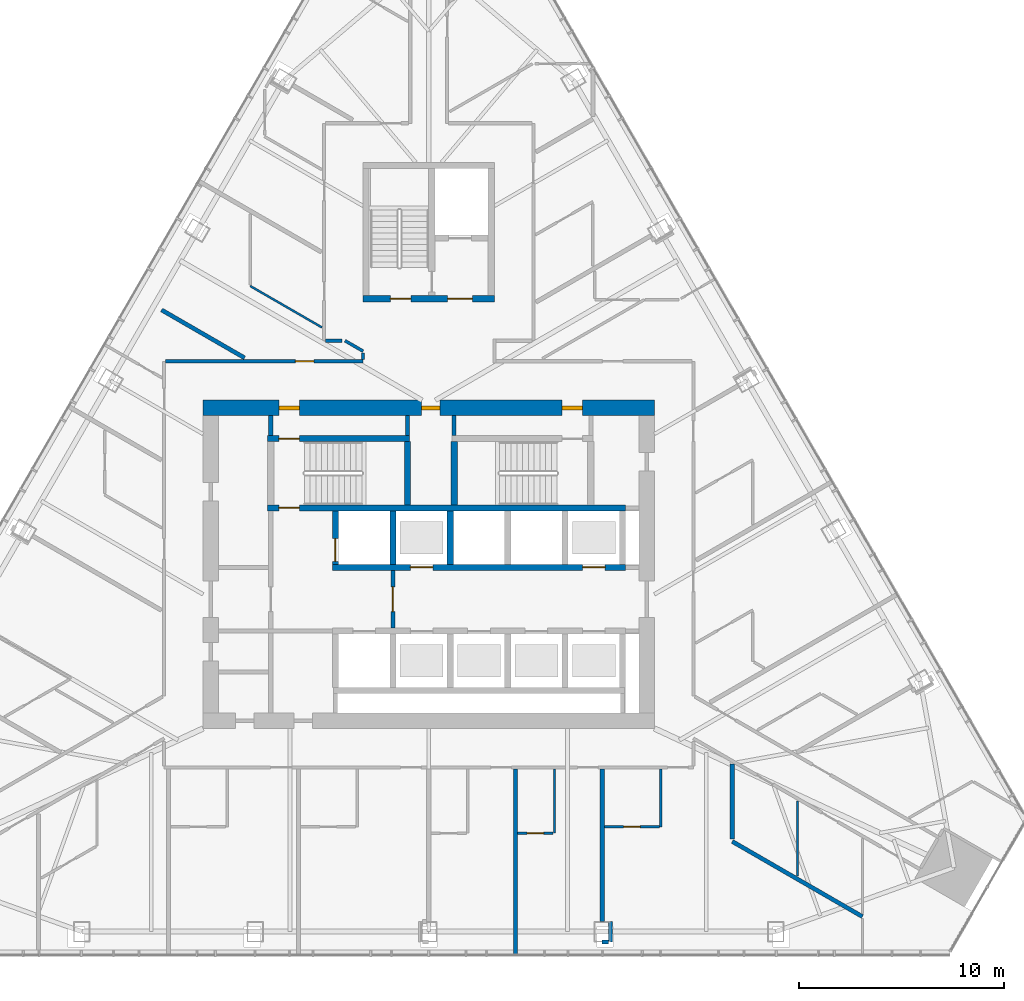
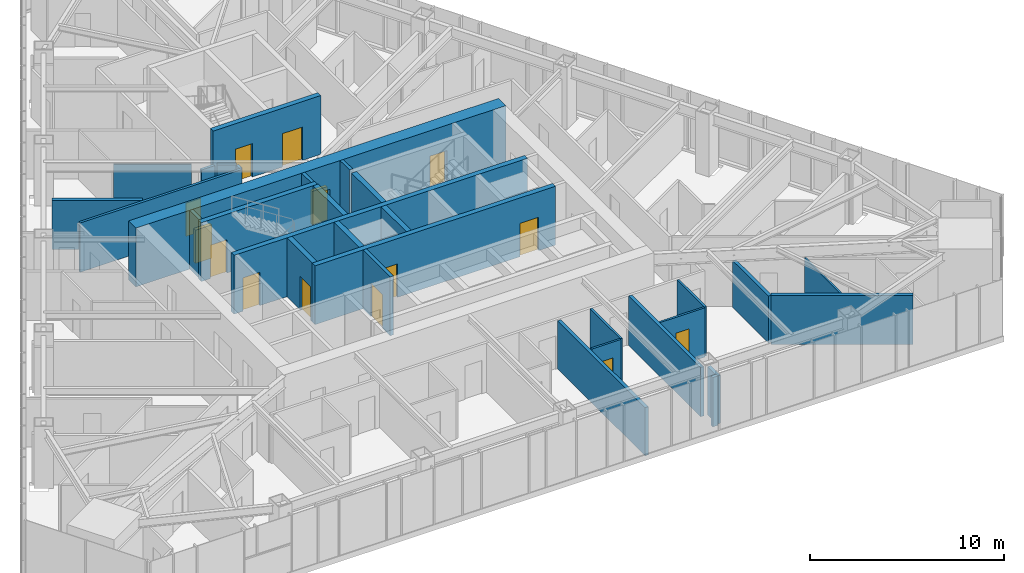
# One storey, part 14 of 19: 31 walls, 14 doors, 14 openings.
"""IFC4 building model written with IfcOpenShell, lengths in metres."""

from ifc_helpers import new_model, si_unit, direction, frame, frame_2d, origin, place, context, subcontext, project, spatial, rectangle, extrude, material, layer, layer_set, type_object, element, fill, save


model = new_model("IFC4")

# Units and contexts
model_context = context("Model", 3, precision=1e-05, world=origin(), true_north=direction((0.0, 1.0)))
body_context = subcontext(model_context, "Body", "Model", "MODEL_VIEW")
ifc_project = project(units=[si_unit("LENGTHUNIT", "METRE"), si_unit("AREAUNIT", "SQUARE_METRE"), si_unit("VOLUMEUNIT", "CUBIC_METRE"), si_unit("PLANEANGLEUNIT", "RADIAN"), si_unit("MASSUNIT", "GRAM", prefix="KILO")], contexts=[model_context])

# Site, building, storey
site_placement = place(None, origin())
site = spatial("IfcSite", under=ifc_project, at=site_placement, CompositionType="ELEMENT")
building_placement = place(site_placement, origin())
building = spatial("IfcBuilding", under=site, at=building_placement, Name="Firuza Gate Tower and Library", CompositionType="ELEMENT")
storey_placement = place(building_placement, frame((0.0, 0.0, 210.39990234375)))
storey = spatial("IfcBuildingStorey", under=building, at=storey_placement, Name="L49", CompositionType="ELEMENT", Elevation=210.39990234375)

# Wall
ifc_material_1 = material(Name="Plasterboard on steel studs", Category="steel")
ifc_layer_1 = layer(ifc_material_1, 0.199951171875)
ifc_layer_set_1 = layer_set([ifc_layer_1], Name="Core partition 200 EI 120")
wall_type_1 = type_object("IfcWallType", Name="Core partition 200 EI 120", PredefinedType="PARTITIONING", material=ifc_layer_set_1)
wall_1_placement = place(storey_placement, frame((67.300048828125, 81.280029296875, 0.0), z_axis=(0.0, 0.0, 1.0), x_axis=(0.0, 1.0, 0.0)))
element("IfcWall", 1, at=wall_1_placement, inside=storey, type_object=wall_type_1, Name="Core partition L49 9", PredefinedType="PARTITIONING", context=body_context, shape_type="SweptSolid", body=[
    extrude(rectangle(XDim=0.969970703125, YDim=0.199951171875, at=frame_2d((0.48486328125, 0.0))), origin(), (0.0, 0.0, 1.0), 3.7001953125),
])

# Wall, opening, door
ifc_material_2 = material(Name="Plasterboard on steel studs", Category="steel")
ifc_layer_2 = layer(ifc_material_2, 0.199951171875)
ifc_layer_set_2 = layer_set([ifc_layer_2], Name="Core partition 200 EI 60")
wall_type_2 = type_object("IfcWallType", Name="Core partition 200 EI 60", PredefinedType="PARTITIONING", material=ifc_layer_set_2)
wall_2_placement = place(storey_placement, frame((73.25, 71.89990234375, 0.0), z_axis=(0.0, 0.0, 1.0), x_axis=(0.0, 1.0, 0.0)))
wall_2 = element("IfcWall", 2, at=wall_2_placement, inside=storey, type_object=wall_type_2, Name="Core partition L49 11", PredefinedType="PARTITIONING", context=body_context, shape_type="SweptSolid", body=[
    extrude(rectangle(XDim=2.800048828125, YDim=0.199951171875, at=frame_2d((1.39990234375, 0.0))), origin(), (0.0, 0.0, 1.0), 3.7001953125),
])
opening_1_placement = place(wall_2_placement, frame((0.800048828125, 0.0, 0.0)))
opening_1 = element("IfcOpeningElement", 3, at=opening_1_placement, cuts=wall_2, Name="Opening L49-K18", PredefinedType="OPENING", context=body_context, shape_type="SweptSolid", body=[
    extrude(rectangle(XDim=1.199951171875, YDim=2.10009765625, at=frame_2d((0.60009765625, 1.050048828125))), frame((0.0, 0.10986328125, 0.0), z_axis=(0.0, -1.0, 0.0), x_axis=(1.0, 0.0, 0.0)), (0.0, 0.0, 1.0), 0.219970703125),
])
ifc_material_3 = material(Name="Steel", Category="steel")
door_type_1 = type_object("IfcDoorType", Name="Fire door 1200x2100 FD90S", OperationType="NOTDEFINED", PredefinedType="DOOR", material=ifc_material_3)
door_1_placement = place(opening_1_placement, origin())
door_1 = element("IfcDoor", 4, at=door_1_placement, inside=storey, type_object=door_type_1, Name="Door L49-K18", OperationType="SINGLE_SWING_LEFT", OverallHeight=2.10009765625, OverallWidth=1.199951171875, PredefinedType="DOOR", context=body_context, shape_type="SweptSolid", body=[
    extrude(rectangle(XDim=1.199951171875, YDim=2.10009765625, at=frame_2d((0.60009765625, 1.050048828125))), frame((0.0, 0.02490234375, 0.0), z_axis=(0.0, -1.0, 0.0), x_axis=(1.0, 0.0, 0.0)), (0.0, 0.0, 1.0), 0.050048828125),
])
fill(opening_1, door_1)

# Walls
for number, where, z_axis, x_axis, name in (
    (5, (73.9599609375, 81.280029296875, 0.0), (0.0, 0.0, 1.0), (0.0, 1.0, 0.0), "Core partition L49 12"),
    (6, (76.239990234375, 81.280029296875, 0.0), (0.0, 0.0, 1.0), (0.0, 1.0, 0.0), "Core partition L49 13"),
):
    element("IfcWall", number, at=place(storey_placement, frame(where, z_axis=z_axis, x_axis=x_axis)), inside=storey, type_object=wall_type_2, Name=name, PredefinedType="PARTITIONING", context=body_context, shape_type="SweptSolid", body=[
        extrude(rectangle(XDim=0.969970703125, YDim=0.199951171875, at=frame_2d((0.48486328125, 0.0))), origin(), (0.0, 0.0, 1.0), 3.7001953125),
    ])

# Wall, openings, doors
ifc_material_4 = material(Name="Concrete C80/95", Category="concrete")
ifc_layer_3 = layer(ifc_material_4, 0.300048828125)
ifc_layer_set_3 = layer_set([ifc_layer_3], Name="Core wall 300 C80/95")
wall_type_3 = type_object("IfcWallType", Name="Core wall 300 C80/95", PredefinedType="SHEAR", material=ifc_layer_set_3)
wall_3_placement = place(storey_placement, frame((70.300048828125, 74.85009765625, 0.0), z_axis=(0.0, 0.0, 1.0), x_axis=(1.0, 0.0, 0.0)))
wall_3 = element("IfcWall", 7, at=wall_3_placement, inside=storey, type_object=wall_type_3, Name="Core wall L49 7", PredefinedType="SHEAR", context=body_context, shape_type="SweptSolid", body=[
    extrude(rectangle(XDim=14.300048828125, YDim=0.300048828125, at=frame_2d((7.14990234375, 0.0))), origin(), (0.0, 0.0, 1.0), 3.7001953125),
])
opening_2_placement = place(wall_3_placement, frame((3.800048828125, 0.0, 0.0)))
opening_2 = element("IfcOpeningElement", 8, at=opening_2_placement, cuts=wall_3, Name="Opening LD-MR4-L49", PredefinedType="OPENING", context=body_context, shape_type="SweptSolid", body=[
    extrude(rectangle(XDim=1.10009765625, YDim=2.10009765625, at=frame_2d((0.550048828125, 1.050048828125))), frame((0.0, 0.16015625, 0.0), z_axis=(0.0, -1.0, 0.0), x_axis=(1.0, 0.0, 0.0)), (0.0, 0.0, 1.0), 0.320068359375),
])
opening_3_placement = place(wall_3_placement, frame((12.199951171875, 0.0, 0.0)))
opening_3 = element("IfcOpeningElement", 9, at=opening_3_placement, cuts=wall_3, Name="Opening LD-MR6-L49", PredefinedType="OPENING", context=body_context, shape_type="SweptSolid", body=[
    extrude(rectangle(XDim=1.10009765625, YDim=2.10009765625, at=frame_2d((0.550048828125, 1.050048828125))), frame((0.0, 0.16015625, 0.0), z_axis=(0.0, -1.0, 0.0), x_axis=(1.0, 0.0, 0.0)), (0.0, 0.0, 1.0), 0.320068359375),
])
ifc_material_5 = material(Name="Stainless steel", Category="steel")
door_type_2 = type_object("IfcDoorType", Name="Lift landing door 1100x2100", OperationType="DOUBLE_DOOR_SLIDING", PredefinedType="DOOR", material=ifc_material_5)
door_2_placement = place(opening_2_placement, origin())
door_2 = element("IfcDoor", 10, at=door_2_placement, inside=storey, type_object=door_type_2, Name="Landing door MR4 L49", OperationType="DOUBLE_DOOR_SLIDING", OverallHeight=2.10009765625, OverallWidth=1.10009765625, PredefinedType="DOOR", context=body_context, shape_type="SweptSolid", body=[
    extrude(rectangle(XDim=1.10009765625, YDim=2.10009765625, at=frame_2d((0.550048828125, 1.050048828125))), frame((0.0, 0.02490234375, 0.0), z_axis=(0.0, -1.0, 0.0), x_axis=(1.0, 0.0, 0.0)), (0.0, 0.0, 1.0), 0.050048828125),
])
fill(opening_2, door_2)
door_3_placement = place(opening_3_placement, origin())
door_3 = element("IfcDoor", 11, at=door_3_placement, inside=storey, type_object=door_type_2, Name="Landing door MR6 L49", OperationType="DOUBLE_DOOR_SLIDING", OverallHeight=2.10009765625, OverallWidth=1.10009765625, PredefinedType="DOOR", context=body_context, shape_type="SweptSolid", body=[
    extrude(rectangle(XDim=1.10009765625, YDim=2.10009765625, at=frame_2d((0.550048828125, 1.050048828125))), frame((0.0, 0.02490234375, 0.0), z_axis=(0.0, -1.0, 0.0), x_axis=(1.0, 0.0, 0.0)), (0.0, 0.0, 1.0), 0.050048828125),
])
fill(opening_3, door_3)

# Wall, opening, door
wall_4_placement = place(storey_placement, frame((70.449951171875, 75.0, 0.0), z_axis=(0.0, 0.0, 1.0), x_axis=(0.0, 1.0, 0.0)))
wall_4 = element("IfcWall", 12, at=wall_4_placement, inside=storey, type_object=wall_type_3, Name="Core wall L49 9", PredefinedType="SHEAR", context=body_context, shape_type="SweptSolid", body=[
    extrude(rectangle(XDim=2.60009765625, YDim=0.300048828125, at=frame_2d((1.300048828125, 0.0))), origin(), (0.0, 0.0, 1.0), 3.7001953125),
])
opening_4_placement = place(wall_4_placement, frame((0.14990234375, 0.0, 0.0)))
opening_4 = element("IfcOpeningElement", 13, at=opening_4_placement, cuts=wall_4, Name="Opening LD-FF2-L49", PredefinedType="OPENING", context=body_context, shape_type="SweptSolid", body=[
    extrude(rectangle(XDim=1.10009765625, YDim=2.10009765625, at=frame_2d((0.550048828125, 1.050048828125))), frame((0.0, 0.16015625, 0.0), z_axis=(0.0, -1.0, 0.0), x_axis=(1.0, 0.0, 0.0)), (0.0, 0.0, 1.0), 0.320068359375),
])
door_4_placement = place(opening_4_placement, origin())
door_4 = element("IfcDoor", 14, at=door_4_placement, inside=storey, type_object=door_type_2, Name="Landing door FF2 L49", OperationType="DOUBLE_DOOR_SLIDING", OverallHeight=2.10009765625, OverallWidth=1.10009765625, PredefinedType="DOOR", context=body_context, shape_type="SweptSolid", body=[
    extrude(rectangle(XDim=1.10009765625, YDim=2.10009765625, at=frame_2d((0.550048828125, 1.050048828125))), frame((0.0, 0.02490234375, 0.0), z_axis=(0.0, -1.0, 0.0), x_axis=(1.0, 0.0, 0.0)), (0.0, 0.0, 1.0), 0.050048828125),
])
fill(opening_4, door_4)

# Walls
for number, where, z_axis, x_axis, name in (
    (15, (73.25, 75.0, 0.0), (0.0, 0.0, 1.0), (0.0, 1.0, 0.0), "Core wall L49 11"),
    (16, (76.050048828125, 75.0, 0.0), (0.0, 0.0, 1.0), (0.0, 1.0, 0.0), "Core wall L49 13"),
):
    element("IfcWall", number, at=place(storey_placement, frame(where, z_axis=z_axis, x_axis=x_axis)), inside=storey, type_object=wall_type_3, Name=name, PredefinedType="SHEAR", context=body_context, shape_type="SweptSolid", body=[
        extrude(rectangle(XDim=2.60009765625, YDim=0.300048828125, at=frame_2d((1.300048828125, 0.0))), origin(), (0.0, 0.0, 1.0), 3.7001953125),
    ])

# Wall, opening, door
wall_5_placement = place(storey_placement, frame((67.14990234375, 77.75, 0.0), z_axis=(0.0, 0.0, 1.0), x_axis=(1.0, 0.0, 0.0)))
wall_5 = element("IfcWall", 17, at=wall_5_placement, inside=storey, type_object=wall_type_3, Name="Core wall L49 20", PredefinedType="SHEAR", context=body_context, shape_type="SweptSolid", body=[
    extrude(rectangle(XDim=17.4501953125, YDim=0.300048828125, at=frame_2d((8.72509765625, 0.0))), origin(), (0.0, 0.0, 1.0), 3.7001953125),
])
opening_5_placement = place(wall_5_placement, frame((0.544921875, 0.0, 0.0)))
opening_5 = element("IfcOpeningElement", 18, at=opening_5_placement, cuts=wall_5, Name="Opening L49-K10", PredefinedType="OPENING", context=body_context, shape_type="SweptSolid", body=[
    extrude(rectangle(XDim=1.0, YDim=2.10009765625, at=frame_2d((0.5, 1.050048828125))), frame((0.0, 0.16015625, 0.0), z_axis=(0.0, -1.0, 0.0), x_axis=(1.0, 0.0, 0.0)), (0.0, 0.0, 1.0), 0.320068359375),
])
ifc_material_6 = material(Name="Steel", Category="steel")
door_type_3 = type_object("IfcDoorType", Name="Fire door 1000x2100 FD90", OperationType="NOTDEFINED", PredefinedType="DOOR", material=ifc_material_6)
door_5_placement = place(opening_5_placement, origin())
door_5 = element("IfcDoor", 19, at=door_5_placement, inside=storey, type_object=door_type_3, Name="Door L49-K10", OperationType="SINGLE_SWING_LEFT", OverallHeight=2.10009765625, OverallWidth=1.0, PredefinedType="DOOR", context=body_context, shape_type="SweptSolid", body=[
    extrude(rectangle(XDim=1.0, YDim=2.10009765625, at=frame_2d((0.5, 1.050048828125))), frame((0.0, 0.02490234375, 0.0), z_axis=(0.0, -1.0, 0.0), x_axis=(1.0, 0.0, 0.0)), (0.0, 0.0, 1.0), 0.050048828125),
])
fill(opening_5, door_5)

wall_6_placement = place(storey_placement, frame((67.14990234375, 81.1298828125, 0.0), z_axis=(0.0, 0.0, 1.0), x_axis=(1.0, 0.0, 0.0)))
wall_6 = element("IfcWall", 20, at=wall_6_placement, inside=storey, type_object=wall_type_3, Name="Core wall L49 21", PredefinedType="SHEAR", context=body_context, shape_type="SweptSolid", body=[
    extrude(rectangle(XDim=6.91015625, YDim=0.300048828125, at=frame_2d((3.455078125, 0.0))), origin(), (0.0, 0.0, 1.0), 3.7001953125),
])
opening_6_placement = place(wall_6_placement, frame((0.544921875, 0.0, 0.0)))
opening_6 = element("IfcOpeningElement", 21, at=opening_6_placement, cuts=wall_6, Name="Opening L49-K11", PredefinedType="OPENING", context=body_context, shape_type="SweptSolid", body=[
    extrude(rectangle(XDim=1.0, YDim=2.10009765625, at=frame_2d((0.5, 1.050048828125))), frame((0.0, 0.16015625, 0.0), z_axis=(0.0, -1.0, 0.0), x_axis=(1.0, 0.0, 0.0)), (0.0, 0.0, 1.0), 0.320068359375),
])
door_6_placement = place(opening_6_placement, origin())
door_6 = element("IfcDoor", 22, at=door_6_placement, inside=storey, type_object=door_type_3, Name="Door L49-K11", OperationType="SINGLE_SWING_RIGHT", OverallHeight=2.10009765625, OverallWidth=1.0, PredefinedType="DOOR", context=body_context, shape_type="SweptSolid", body=[
    extrude(rectangle(XDim=1.0, YDim=2.10009765625, at=frame_2d((0.5, 1.050048828125))), frame((0.0, 0.02490234375, 0.0), z_axis=(0.0, -1.0, 0.0), x_axis=(1.0, 0.0, 0.0)), (0.0, 0.0, 1.0), 0.050048828125),
])
fill(opening_6, door_6)

# Walls
for number, where, z_axis, x_axis, name in (
    (23, (73.9599609375, 77.89990234375, 0.0), (0.0, 0.0, 1.0), (0.0, 1.0, 0.0), "Core wall L49 24"),
    (24, (76.239990234375, 77.89990234375, 0.0), (0.0, 0.0, 1.0), (0.0, 1.0, 0.0), "Core wall L49 25"),
):
    element("IfcWall", number, at=place(storey_placement, frame(where, z_axis=z_axis, x_axis=x_axis)), inside=storey, type_object=wall_type_3, Name=name, PredefinedType="SHEAR", context=body_context, shape_type="SweptSolid", body=[
        extrude(rectangle(XDim=3.080078125, YDim=0.300048828125, at=frame_2d((1.5400390625, 0.0))), origin(), (0.0, 0.0, 1.0), 3.7001953125),
    ])

# Wall, openings, doors
wall_7_placement = place(storey_placement, frame((71.800048828125, 87.949951171875, 0.0), z_axis=(0.0, 0.0, 1.0), x_axis=(1.0, 0.0, 0.0)))
wall_7 = element("IfcWall", 25, at=wall_7_placement, inside=storey, type_object=wall_type_3, Name="Core wall L49 27", PredefinedType="SHEAR", context=body_context, shape_type="SweptSolid", body=[
    extrude(rectangle(XDim=6.39990234375, YDim=0.300048828125, at=frame_2d((3.199951171875, 0.0))), origin(), (0.0, 0.0, 1.0), 3.7001953125),
])
opening_7_placement = place(wall_7_placement, frame((1.324951171875, 0.0, 0.0)))
opening_7 = element("IfcOpeningElement", 26, at=opening_7_placement, cuts=wall_7, Name="Opening L49-K15", PredefinedType="OPENING", context=body_context, shape_type="SweptSolid", body=[
    extrude(rectangle(XDim=1.0, YDim=2.10009765625, at=frame_2d((0.5, 1.050048828125))), frame((0.0, 0.16015625, 0.0), z_axis=(0.0, -1.0, 0.0), x_axis=(1.0, 0.0, 0.0)), (0.0, 0.0, 1.0), 0.320068359375),
])
opening_8_placement = place(wall_7_placement, frame((4.125, 0.0, 0.0)))
opening_8 = element("IfcOpeningElement", 27, at=opening_8_placement, cuts=wall_7, Name="Opening L49-K17", PredefinedType="OPENING", context=body_context, shape_type="SweptSolid", body=[
    extrude(rectangle(XDim=1.199951171875, YDim=2.10009765625, at=frame_2d((0.60009765625, 1.050048828125))), frame((0.0, 0.16015625, 0.0), z_axis=(0.0, -1.0, 0.0), x_axis=(1.0, 0.0, 0.0)), (0.0, 0.0, 1.0), 0.320068359375),
])
door_7_placement = place(opening_7_placement, origin())
door_7 = element("IfcDoor", 28, at=door_7_placement, inside=storey, type_object=door_type_3, Name="Door L49-K15", OperationType="SINGLE_SWING_RIGHT", OverallHeight=2.10009765625, OverallWidth=1.0, PredefinedType="DOOR", context=body_context, shape_type="SweptSolid", body=[
    extrude(rectangle(XDim=1.0, YDim=2.10009765625, at=frame_2d((0.5, 1.050048828125))), frame((0.0, 0.02490234375, 0.0), z_axis=(0.0, -1.0, 0.0), x_axis=(1.0, 0.0, 0.0)), (0.0, 0.0, 1.0), 0.050048828125),
])
fill(opening_7, door_7)
ifc_material_7 = material(Name="Steel", Category="steel")
door_type_4 = type_object("IfcDoorType", Name="Fire door 1200x2100 FD30S", OperationType="NOTDEFINED", PredefinedType="DOOR", material=ifc_material_7)
door_8_placement = place(opening_8_placement, origin())
door_8 = element("IfcDoor", 29, at=door_8_placement, inside=storey, type_object=door_type_4, Name="Door L49-K17", OperationType="SINGLE_SWING_RIGHT", OverallHeight=2.10009765625, OverallWidth=1.199951171875, PredefinedType="DOOR", context=body_context, shape_type="SweptSolid", body=[
    extrude(rectangle(XDim=1.199951171875, YDim=2.10009765625, at=frame_2d((0.60009765625, 1.050048828125))), frame((0.0, 0.02490234375, 0.0), z_axis=(0.0, -1.0, 0.0), x_axis=(1.0, 0.0, 0.0)), (0.0, 0.0, 1.0), 0.050048828125),
])
fill(opening_8, door_8)

ifc_material_8 = material(Name="Concrete C80/95", Category="concrete")
ifc_layer_4 = layer(ifc_material_8, 0.75)
ifc_layer_set_4 = layer_set([ifc_layer_4], Name="Core wall 750 C80/95")
wall_type_4 = type_object("IfcWallType", Name="Core wall 750 C80/95", PredefinedType="SHEAR", material=ifc_layer_set_4)
wall_8_placement = place(storey_placement, frame((64.0, 82.625, 0.0), z_axis=(0.0, 0.0, 1.0), x_axis=(1.0, 0.0, 0.0)))
wall_8 = element("IfcWall", 30, at=wall_8_placement, inside=storey, type_object=wall_type_4, Name="Core wall L49 2", PredefinedType="SHEAR", context=body_context, shape_type="SweptSolid", body=[
    extrude(rectangle(XDim=22.0, YDim=0.75, at=frame_2d((11.0, 0.0))), origin(), (0.0, 0.0, 1.0), 3.7001953125),
])
opening_9_placement = place(wall_8_placement, frame((3.695068359375, 0.0, 0.0)))
opening_9 = element("IfcOpeningElement", 31, at=opening_9_placement, cuts=wall_8, Name="Opening L49-K12", PredefinedType="OPENING", context=body_context, shape_type="SweptSolid", body=[
    extrude(rectangle(XDim=1.0, YDim=2.10009765625, at=frame_2d((0.5, 1.050048828125))), frame((0.0, 0.385009765625, 0.0), z_axis=(0.0, -1.0, 0.0), x_axis=(1.0, 0.0, 0.0)), (0.0, 0.0, 1.0), 0.77001953125),
])
opening_10_placement = place(wall_8_placement, frame((17.5048828125, 0.0, 0.0)))
opening_10 = element("IfcOpeningElement", 32, at=opening_10_placement, cuts=wall_8, Name="Opening L49-K14", PredefinedType="OPENING", context=body_context, shape_type="SweptSolid", body=[
    extrude(rectangle(XDim=1.0, YDim=2.10009765625, at=frame_2d((0.5, 1.050048828125))), frame((0.0, 0.385009765625, 0.0), z_axis=(0.0, -1.0, 0.0), x_axis=(1.0, 0.0, 0.0)), (0.0, 0.0, 1.0), 0.77001953125),
])
opening_11_placement = place(wall_8_placement, frame((10.64990234375, 0.0, 0.0)))
opening_11 = element("IfcOpeningElement", 33, at=opening_11_placement, cuts=wall_8, Name="Opening L49-K26", PredefinedType="OPENING", context=body_context, shape_type="SweptSolid", body=[
    extrude(rectangle(XDim=0.89990234375, YDim=2.10009765625, at=frame_2d((0.449951171875, 1.050048828125))), frame((0.0, 0.385009765625, 0.0), z_axis=(0.0, -1.0, 0.0), x_axis=(1.0, 0.0, 0.0)), (0.0, 0.0, 1.0), 0.77001953125),
])
door_9_placement = place(opening_9_placement, origin())
door_9 = element("IfcDoor", 34, at=door_9_placement, inside=storey, type_object=door_type_3, Name="Door L49-K12", OperationType="SINGLE_SWING_LEFT", OverallHeight=2.10009765625, OverallWidth=1.0, PredefinedType="DOOR", context=body_context, shape_type="SweptSolid", body=[
    extrude(rectangle(XDim=1.0, YDim=2.10009765625, at=frame_2d((0.5, 1.050048828125))), frame((0.0, 0.094970703125, 0.0), z_axis=(0.0, -1.0, 0.0), x_axis=(1.0, 0.0, 0.0)), (0.0, 0.0, 1.0), 0.18994140625),
])
fill(opening_9, door_9)
door_10_placement = place(opening_10_placement, origin())
door_10 = element("IfcDoor", 35, at=door_10_placement, inside=storey, type_object=door_type_3, Name="Door L49-K14", OperationType="SINGLE_SWING_LEFT", OverallHeight=2.10009765625, OverallWidth=1.0, PredefinedType="DOOR", context=body_context, shape_type="SweptSolid", body=[
    extrude(rectangle(XDim=1.0, YDim=2.10009765625, at=frame_2d((0.5, 1.050048828125))), frame((0.0, 0.094970703125, 0.0), z_axis=(0.0, -1.0, 0.0), x_axis=(1.0, 0.0, 0.0)), (0.0, 0.0, 1.0), 0.18994140625),
])
fill(opening_10, door_10)
ifc_material_9 = material(Name="Steel", Category="steel")
door_type_5 = type_object("IfcDoorType", Name="Fire door 900x2100 FD30S", OperationType="NOTDEFINED", PredefinedType="DOOR", material=ifc_material_9)
door_11_placement = place(opening_11_placement, origin())
door_11 = element("IfcDoor", 36, at=door_11_placement, inside=storey, type_object=door_type_5, Name="Door L49-K26", OperationType="SINGLE_SWING_LEFT", OverallHeight=2.10009765625, OverallWidth=0.89990234375, PredefinedType="DOOR", context=body_context, shape_type="SweptSolid", body=[
    extrude(rectangle(XDim=0.89990234375, YDim=2.10009765625, at=frame_2d((0.449951171875, 1.050048828125))), frame((0.0, 0.094970703125, 0.0), z_axis=(0.0, -1.0, 0.0), x_axis=(1.0, 0.0, 0.0)), (0.0, 0.0, 1.0), 0.18994140625),
])
fill(opening_11, door_11)

# Wall, opening, door
ifc_material_10 = material(Name="Gypsum board partition")
ifc_layer_5 = layer(ifc_material_10, 0.14990234375)
ifc_layer_set_5 = layer_set([ifc_layer_5], Name="Corridor wall 150 double board on steel studs")
wall_type_5 = type_object("IfcWallType", Name="Corridor wall 150 double board on steel studs", PredefinedType="PARTITIONING", material=ifc_layer_set_5)
wall_9_placement = place(storey_placement, frame((62.175048828125, 84.89990234375, 0.0), z_axis=(0.0, 0.0, 1.0), x_axis=(1.0, 0.0, 0.0)))
wall_9 = element("IfcWall", 37, at=wall_9_placement, inside=storey, type_object=wall_type_5, Name="f:L49:w009", PredefinedType="PARTITIONING", context=body_context, shape_type="SweptSolid", body=[
    extrude(rectangle(XDim=9.625, YDim=0.14990234375, at=frame_2d((4.8125, 0.0))), origin(), (0.0, 0.0, 1.0), 3.09716796875),
])
opening_12_placement = place(wall_9_placement, frame((6.326171875, 0.0, 0.0)))
opening_12 = element("IfcOpeningElement", 38, at=opening_12_placement, cuts=wall_9, Name="Opening L49-11", PredefinedType="OPENING", context=body_context, shape_type="SweptSolid", body=[
    extrude(rectangle(XDim=0.89990234375, YDim=2.10009765625, at=frame_2d((0.449951171875, 1.050048828125))), frame((0.0, 0.0849609375, 0.0), z_axis=(0.0, -1.0, 0.0), x_axis=(1.0, 0.0, 0.0)), (0.0, 0.0, 1.0), 0.169921875),
])
ifc_material_11 = material(Name="Steel door and timber leaf", Category="steel")
door_type_6 = type_object("IfcDoorType", Name="Fire door 900 x 2100 steel frame, timber leaf", OperationType="NOTDEFINED", PredefinedType="DOOR", material=ifc_material_11)
door_12_placement = place(opening_12_placement, origin())
door_12 = element("IfcDoor", 39, at=door_12_placement, inside=storey, type_object=door_type_6, Name="f:L49:d011", OperationType="SINGLE_SWING_LEFT", OverallHeight=2.10009765625, OverallWidth=0.89990234375, PredefinedType="DOOR", context=body_context, shape_type="SweptSolid", body=[
    extrude(rectangle(XDim=0.89990234375, YDim=2.10009765625, at=frame_2d((0.449951171875, 1.050048828125))), frame((0.0, 0.02490234375, 0.0), z_axis=(0.0, -1.0, 0.0), x_axis=(1.0, 0.0, 0.0)), (0.0, 0.0, 1.0), 0.050048828125),
])
fill(opening_12, door_12)

# Walls
wall_10_placement = place(storey_placement, frame((69.9755859375, 85.89990234375, 0.0), z_axis=(0.0, 0.0, 1.0), x_axis=(1.0, 0.0, 0.0)))
element("IfcWall", 40, at=wall_10_placement, inside=storey, type_object=wall_type_5, Name="f:L49:w011", PredefinedType="PARTITIONING", context=body_context, shape_type="SweptSolid", body=[
    extrude(rectangle(XDim=0.79248046875, YDim=0.14990234375, at=frame_2d((0.396240234375, 0.0))), origin(), (0.0, 0.0, 1.0), 3.09716796875),
])
wall_11_placement = place(storey_placement, frame((71.800048828125, 84.97509765625, 0.0), z_axis=(0.0, 0.0, 1.0), x_axis=(0.0, 1.0, 0.0)))
element("IfcWall", 41, at=wall_11_placement, inside=storey, type_object=wall_type_5, Name="f:L49:w072", PredefinedType="PARTITIONING", context=body_context, shape_type="SweptSolid", body=[
    extrude(rectangle(XDim=0.3291015625, YDim=0.14990234375, at=frame_2d((0.16455078125, 0.0))), origin(), (0.0, 0.0, 1.0), 3.10009765625),
])
wall_12_placement = place(storey_placement, frame((71.80029296875, 85.39111328125, 0.0), z_axis=(0.0, 0.0, 1.0), x_axis=(-0.866021929094, 0.500006018292, 0.0)))
element("IfcWall", 42, at=wall_12_placement, inside=storey, type_object=wall_type_5, Name="f:L49:w099", PredefinedType="PARTITIONING", context=body_context, shape_type="SweptSolid", body=[
    extrude(rectangle(XDim=1.0185546875, YDim=0.14990234375, at=frame_2d((0.50927734375, 0.0))), origin(), (0.0, 0.0, 1.0), 3.10009765625),
])
ifc_material_12 = material(Name="Gypsum board partition")
ifc_layer_6 = layer(ifc_material_12, 0.199951171875)
ifc_layer_set_6 = layer_set([ifc_layer_6], Name="Demising wall 200 acoustic double stud")
wall_type_6 = type_object("IfcWallType", Name="Demising wall 200 acoustic double stud", PredefinedType="PARTITIONING", material=ifc_layer_set_6)
wall_13_placement = place(storey_placement, frame((83.45556640625, 56.596923828125, 0.0), z_axis=(0.0, 0.0, 1.0), x_axis=(1.0, 0.0, 0.0)))
element("IfcWall", 43, at=wall_13_placement, inside=storey, type_object=wall_type_6, Name="f:L49:w001", PredefinedType="PARTITIONING", context=body_context, shape_type="SweptSolid", body=[
    extrude(rectangle(XDim=0.299560546875, YDim=0.199951171875, at=frame_2d((0.14990234375, 0.0))), origin(), (0.0, 0.0, 1.0), 3.10009765625),
])
wall_14_placement = place(storey_placement, frame((89.797119140625, 61.60693359375, 0.0), z_axis=(0.0, 0.0, 1.0), x_axis=(0.0, 1.0, 0.0)))
element("IfcWall", 44, at=wall_14_placement, inside=storey, type_object=wall_type_6, Name="f:L49:w053", PredefinedType="PARTITIONING", context=body_context, shape_type="SweptSolid", body=[
    extrude(rectangle(XDim=3.6640625, YDim=0.199951171875, at=frame_2d((1.83203125, 0.0))), origin(), (0.0, 0.0, 1.0), 2.947021484375),
])
wall_15_placement = place(storey_placement, frame((83.85595703125, 56.597900390625, 0.0), z_axis=(0.0, 0.0, 1.0), x_axis=(0.0, 1.0, 0.0)))
element("IfcWall", 45, at=wall_15_placement, inside=storey, type_object=wall_type_6, Name="f:L49:w057", PredefinedType="PARTITIONING", context=body_context, shape_type="SweptSolid", body=[
    extrude(rectangle(XDim=0.9990234375, YDim=0.199951171875, at=frame_2d((0.49951171875, 0.0))), origin(), (0.0, 0.0, 1.0), 3.022216796875),
])
wall_16_placement = place(storey_placement, frame((83.4560546875, 57.597412109375, 0.0), z_axis=(0.0, 0.0, 1.0), x_axis=(0.0, 1.0, 0.0)))
element("IfcWall", 46, at=wall_16_placement, inside=storey, type_object=wall_type_6, Name="f:L49:w058", PredefinedType="PARTITIONING", context=body_context, shape_type="SweptSolid", body=[
    extrude(rectangle(XDim=7.427490234375, YDim=0.199951171875, at=frame_2d((3.7138671875, 0.0))), origin(), (0.0, 0.0, 1.0), 3.10009765625),
])
wall_17_placement = place(storey_placement, frame((79.22802734375, 55.99755859375, 0.0), z_axis=(0.0, 0.0, 1.0), x_axis=(0.0, 1.0, 0.0)))
element("IfcWall", 47, at=wall_17_placement, inside=storey, type_object=wall_type_6, Name="f:L49:w064", PredefinedType="PARTITIONING", context=body_context, shape_type="SweptSolid", body=[
    extrude(rectangle(XDim=9.02734375, YDim=0.199951171875, at=frame_2d((4.513671875, 0.0))), origin(), (0.0, 0.0, 1.0), 3.022216796875),
])
wall_18_placement = place(storey_placement, frame((66.022705078125, 85.065185546875, 0.0), z_axis=(0.0, 0.0, 1.0), x_axis=(-0.866034108906, 0.499984921984, 0.0)))
element("IfcWall", 48, at=wall_18_placement, inside=storey, type_object=wall_type_6, Name="f:L49:w101", PredefinedType="PARTITIONING", context=body_context, shape_type="SweptSolid", body=[
    extrude(rectangle(XDim=4.670166015625, YDim=0.199951171875, at=frame_2d((2.3349609375, 0.0))), origin(), (0.0, 0.0, 1.0), 3.10009765625),
])
wall_19_placement = place(storey_placement, frame((96.13916015625, 57.830078125, 0.0), z_axis=(0.0, 0.0, 1.0), x_axis=(-0.866014584968, 0.500018738272, 0.0)))
element("IfcWall", 49, at=wall_19_placement, inside=storey, type_object=wall_type_6, Name="f:L49:w110", PredefinedType="PARTITIONING", context=body_context, shape_type="SweptSolid", body=[
    extrude(rectangle(XDim=7.322998046875, YDim=0.199951171875, at=frame_2d((3.66162109375, 0.0))), origin(), (0.0, 0.0, 1.0), 3.10009765625),
])
ifc_material_13 = material(Name="Gypsum board partition")
ifc_layer_7 = layer(ifc_material_13, 0.10009765625)
ifc_layer_set_7 = layer_set([ifc_layer_7], Name="Partition 100 gypsum board on steel studs")
wall_type_7 = type_object("IfcWallType", Name="Partition 100 gypsum board on steel studs", PredefinedType="PARTITIONING", material=ifc_layer_set_7)
wall_20_placement = place(storey_placement, frame((92.968017578125, 59.80615234375, 0.0), z_axis=(0.0, 0.0, 1.0), x_axis=(0.0, 1.0, 0.0)))
element("IfcWall", 50, at=wall_20_placement, inside=storey, type_object=wall_type_7, Name="f:L49:w050", PredefinedType="PARTITIONING", context=body_context, shape_type="SweptSolid", body=[
    extrude(rectangle(XDim=3.6640625, YDim=0.10009765625, at=frame_2d((1.83203125, 0.0))), origin(), (0.0, 0.0, 1.0), 3.10009765625),
])
wall_21_placement = place(storey_placement, frame((69.79931640625, 86.54638671875, 0.0), z_axis=(0.0, 0.0, 1.0), x_axis=(-0.866025579307, 0.499999695987, 0.0)))
element("IfcWall", 51, at=wall_21_placement, inside=storey, type_object=wall_type_7, Name="f:L49:w100", PredefinedType="PARTITIONING", context=body_context, shape_type="SweptSolid", body=[
    extrude(rectangle(XDim=4.0400390625, YDim=0.10009765625, at=frame_2d((2.02001953125, 0.0))), origin(), (0.0, 0.0, 1.0), 3.10009765625),
])

# Wall, opening, door
ifc_material_14 = material(Name="Gypsum board partition")
ifc_layer_8 = layer(ifc_material_14, 0.1201171875)
ifc_layer_set_8 = layer_set([ifc_layer_8], Name="Wet-area partition 120 moisture-resistant board")
wall_type_8 = type_object("IfcWallType", Name="Wet-area partition 120 moisture-resistant board", PredefinedType="PARTITIONING", material=ifc_layer_set_8)
wall_22_placement = place(storey_placement, frame((79.337890625, 61.89990234375, 0.0), z_axis=(0.0, 0.0, 1.0), x_axis=(1.0, 0.0, 0.0)))
wall_22 = element("IfcWall", 52, at=wall_22_placement, inside=storey, type_object=wall_type_8, Name="f:L49:w004", PredefinedType="PARTITIONING", context=body_context, shape_type="SweptSolid", body=[
    extrude(rectangle(XDim=1.722412109375, YDim=0.1201171875, at=frame_2d((0.861328125, 0.0))), origin(), (0.0, 0.0, 1.0), 3.10009765625),
])
opening_13_placement = place(wall_22_placement, frame((0.461181640625, 0.0, 0.0)))
opening_13 = element("IfcOpeningElement", 53, at=opening_13_placement, cuts=wall_22, Name="Opening L49-02", PredefinedType="OPENING", context=body_context, shape_type="SweptSolid", body=[
    extrude(rectangle(XDim=0.800048828125, YDim=2.10009765625, at=frame_2d((0.39990234375, 1.050048828125))), frame((0.0, 0.070068359375, 0.0), z_axis=(0.0, -1.0, 0.0), x_axis=(1.0, 0.0, 0.0)), (0.0, 0.0, 1.0), 0.14013671875),
])
ifc_material_15 = material(Name="Timber door", Category="wood")
door_type_7 = type_object("IfcDoorType", Name="Door 800 x 2100 timber leaf", OperationType="NOTDEFINED", PredefinedType="DOOR", material=ifc_material_15)
door_13_placement = place(opening_13_placement, origin())
door_13 = element("IfcDoor", 54, at=door_13_placement, inside=storey, type_object=door_type_7, Name="f:L49:d002", OperationType="SINGLE_SWING_RIGHT", OverallHeight=2.10009765625, OverallWidth=0.800048828125, PredefinedType="DOOR", context=body_context, shape_type="SweptSolid", body=[
    extrude(rectangle(XDim=0.800048828125, YDim=2.10009765625, at=frame_2d((0.39990234375, 1.050048828125))), frame((0.0, 0.02490234375, 0.0), z_axis=(0.0, -1.0, 0.0), x_axis=(1.0, 0.0, 0.0)), (0.0, 0.0, 1.0), 0.050048828125),
])
fill(opening_13, door_13)

wall_23_placement = place(storey_placement, frame((83.565673828125, 62.199951171875, 0.0), z_axis=(0.0, 0.0, 1.0), x_axis=(1.0, 0.0, 0.0)))
wall_23 = element("IfcWall", 55, at=wall_23_placement, inside=storey, type_object=wall_type_8, Name="f:L49:w007", PredefinedType="PARTITIONING", context=body_context, shape_type="SweptSolid", body=[
    extrude(rectangle(XDim=2.673828125, YDim=0.1201171875, at=frame_2d((1.3369140625, 0.0))), origin(), (0.0, 0.0, 1.0), 3.10009765625),
])
opening_14_placement = place(wall_23_placement, frame((0.93701171875, 0.0, 0.0)))
opening_14 = element("IfcOpeningElement", 56, at=opening_14_placement, cuts=wall_23, Name="Opening L49-05", PredefinedType="OPENING", context=body_context, shape_type="SweptSolid", body=[
    extrude(rectangle(XDim=0.800048828125, YDim=2.10009765625, at=frame_2d((0.39990234375, 1.050048828125))), frame((0.0, 0.070068359375, 0.0), z_axis=(0.0, -1.0, 0.0), x_axis=(1.0, 0.0, 0.0)), (0.0, 0.0, 1.0), 0.14013671875),
])
door_14_placement = place(opening_14_placement, origin())
door_14 = element("IfcDoor", 57, at=door_14_placement, inside=storey, type_object=door_type_7, Name="f:L49:d005", OperationType="SINGLE_SWING_RIGHT", OverallHeight=2.10009765625, OverallWidth=0.800048828125, PredefinedType="DOOR", context=body_context, shape_type="SweptSolid", body=[
    extrude(rectangle(XDim=0.800048828125, YDim=2.10009765625, at=frame_2d((0.39990234375, 1.050048828125))), frame((0.0, 0.02490234375, 0.0), z_axis=(0.0, -1.0, 0.0), x_axis=(1.0, 0.0, 0.0)), (0.0, 0.0, 1.0), 0.050048828125),
])
fill(opening_14, door_14)

# Walls
wall_24_placement = place(storey_placement, frame((86.30908203125, 62.199951171875, 0.0), z_axis=(0.0, 0.0, 1.0), x_axis=(0.0, 1.0, 0.0)))
element("IfcWall", 58, at=wall_24_placement, inside=storey, type_object=wall_type_8, Name="f:L49:w056", PredefinedType="PARTITIONING", context=body_context, shape_type="SweptSolid", body=[
    extrude(rectangle(XDim=2.824951171875, YDim=0.1201171875, at=frame_2d((1.41259765625, 0.0))), origin(), (0.0, 0.0, 1.0), 3.10009765625),
])
wall_25_placement = place(storey_placement, frame((81.1298828125, 61.89990234375, 0.0), z_axis=(0.0, 0.0, 1.0), x_axis=(0.0, 1.0, 0.0)))
element("IfcWall", 59, at=wall_25_placement, inside=storey, type_object=wall_type_8, Name="f:L49:w062", PredefinedType="PARTITIONING", context=body_context, shape_type="SweptSolid", body=[
    extrude(rectangle(XDim=3.125, YDim=0.1201171875, at=frame_2d((1.5625, 0.0))), origin(), (0.0, 0.0, 1.0), 3.10009765625),
])

save(model, "model.ifc")
